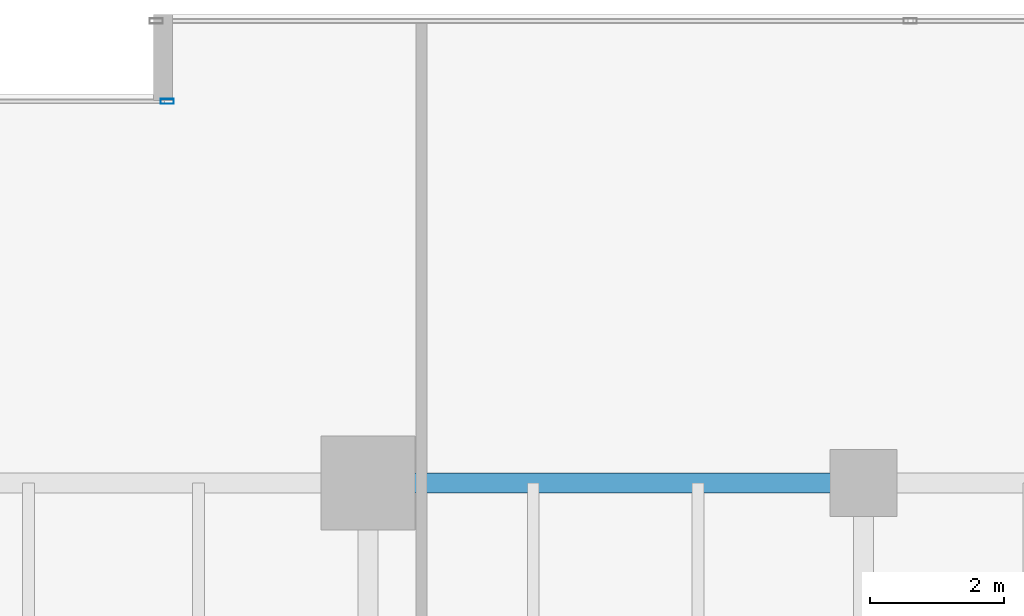
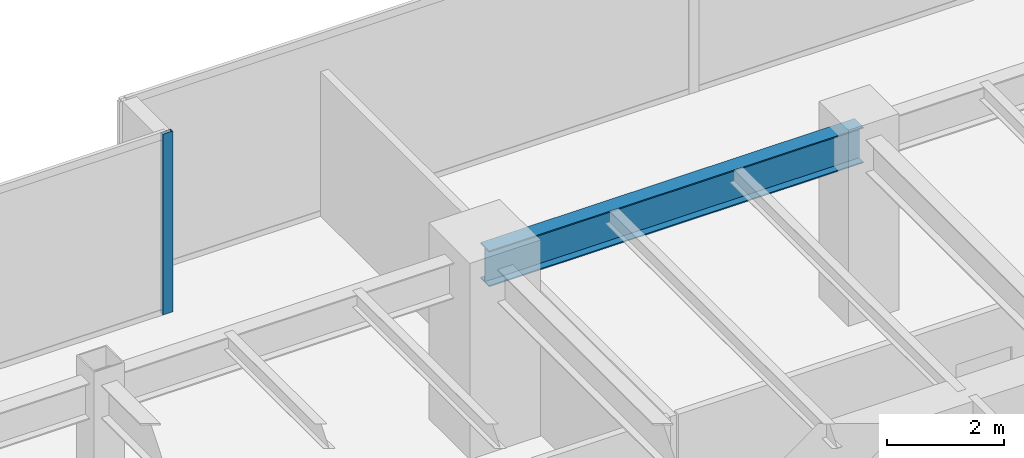
# One storey, part 20 of 35: 1 beam, 1 member, 1 element without a shape of its own.
"""IFC4 building model written with IfcOpenShell, lengths in metres."""

from ifc_helpers import new_model, si_unit, direction, frame, origin, origin_2d, place, context, subcontext, project, spatial, hollow_rectangle, i_section, extrude, source, transform, mapped, material, layer, layer_set, material_profile, profile_set, type_object, type_shapes, element, aggregate, save


model = new_model("IFC4")

# Units and contexts
model_context = context("Model", 3, precision=1e-05, world=origin(), true_north=direction((0.0, 1.0)))
body_context = subcontext(model_context, "Body", "Model", "MODEL_VIEW")
ifc_project = project(units=[si_unit("LENGTHUNIT", "METRE"), si_unit("AREAUNIT", "SQUARE_METRE"), si_unit("VOLUMEUNIT", "CUBIC_METRE"), si_unit("PLANEANGLEUNIT", "RADIAN"), si_unit("MASSUNIT", "GRAM", prefix="KILO")], contexts=[model_context])

# Site, building, storey
site_placement = place(None, origin())
site = spatial("IfcSite", under=ifc_project, at=site_placement, CompositionType="ELEMENT")
building_placement = place(site_placement, origin())
building = spatial("IfcBuilding", under=site, at=building_placement, Name="Haelvirn Gate Laboratories", CompositionType="ELEMENT")
storey_placement = place(building_placement, frame((0.0, 0.0, 58.0)))
storey = spatial("IfcBuildingStorey", under=building, at=storey_placement, Name="L14", CompositionType="ELEMENT", Elevation=58.0)

# Beam
ifc_material_1 = material(Name="Steel SM355", Category="steel")
ifc_material_profile_1 = material_profile(ifc_material_1, i_section(OverallWidth=0.300048828125, OverallDepth=0.75, WebThickness=0.013916015625, FlangeThickness=0.02392578125, at=origin_2d()), Name="H-750x300x14x24")
ifc_profile_set_1 = profile_set([ifc_material_profile_1], Name="Steel SM355")
beam_type = type_object("IfcBeamType", Name="BM-G-750", PredefinedType="BEAM", material=ifc_profile_set_1)
shared_shape_1 = source(origin(), body_context, "Body", "SweptSolid", [
    extrude(i_section(OverallWidth=0.300048828125, OverallDepth=0.75, WebThickness=0.013916015625, FlangeThickness=0.02392578125, at=origin_2d()), origin(), (0.0, 0.0, 1.0), 7.39990234375),
])
type_shapes(beam_type, [shared_shape_1])
beam_placement = place(storey_placement, frame((52.60009765625, 41.60009765625, 3.405029296875), z_axis=(1.0, 0.0, 0.0), x_axis=(0.0, 1.0, 0.0)))
element("IfcBeam", 1, at=beam_placement, inside=storey, type_object=beam_type, Name="L14 Primary Girder Y41.6 (52.6-60.0)", PredefinedType="BEAM", context=body_context, shape_type="MappedRepresentation", body=[
    mapped(shared_shape_1, transform((0.0, 0.0, 0.0), scale=1.0)),
])

# Curtain wall, member
ifc_material_2 = material(Name="Anodised bronze unitised aluminium & triple low-E glass", Category="aluminium")
ifc_layer = layer(ifc_material_2, 0.18408203125, Name="CW-SYS-2")
ifc_layer_set = layer_set([ifc_layer], Name="Anodised bronze unitised aluminium & triple low-E glass")
curtain_wall_type = type_object("IfcCurtainWallType", Name="CW-SYS-2", PredefinedType="NOTDEFINED", material=ifc_layer_set)
curtain_wall_placement = place(storey_placement, origin())
curtain_wall = element("IfcCurtainWall", 2, at=curtain_wall_placement, inside=storey, type_object=curtain_wall_type, Name="L14 Unitised Curtain Wall CW-L14-P0-E12-1", PredefinedType="NOTDEFINED")
ifc_material_3 = material(Name="Extruded aluminium 6063-T6 (anodised bronze)", Category="aluminium")
ifc_material_profile_2 = material_profile(ifc_material_3, hollow_rectangle(XDim=0.074951171875, YDim=0.199951171875, WallThickness=0.0048828125, at=origin_2d()), Name="CWM-200x75x5")
ifc_profile_set_2 = profile_set([ifc_material_profile_2], Name="Extruded aluminium 6063-T6 (anodised bronze)")
member_type = type_object("IfcMemberType", Name="CWM-T200", PredefinedType="MULLION", material=ifc_profile_set_2)
shared_shape_2 = source(origin(), body_context, "Body", "SweptSolid", [
    extrude(hollow_rectangle(XDim=0.074951171875, YDim=0.199951171875, WallThickness=0.0048828125, at=origin_2d()), origin(), (0.0, 0.0, 1.0), 3.780029296875),
])
type_shapes(member_type, [shared_shape_2])
member_placement = place(storey_placement, frame((49.6025390625, 47.300048828125, 0.0), z_axis=(0.0, 0.0, 1.0), x_axis=(0.0, 1.0, 0.0)))
member = element("IfcMember", 3, at=member_placement, type_object=member_type, Name="CW2 mullion 3", PredefinedType="MULLION", context=body_context, shape_type="MappedRepresentation", body=[
    mapped(shared_shape_2, transform((0.0, 0.0, 0.0), scale=1.0)),
])
aggregate(curtain_wall, [member])

save(model, "model.ifc")
